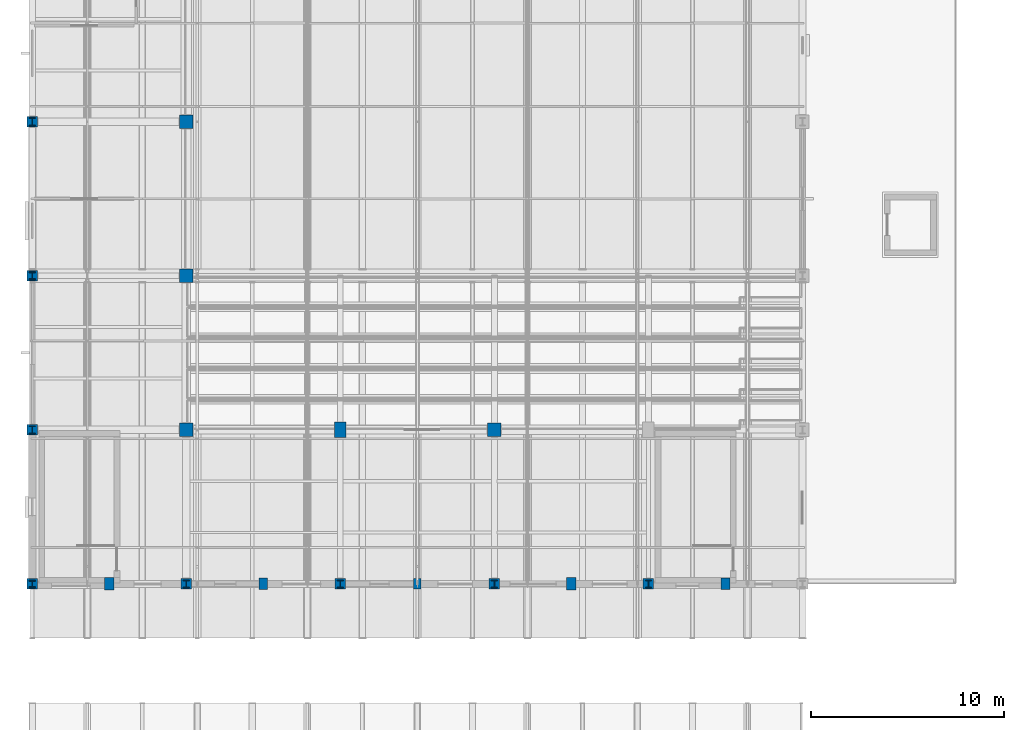
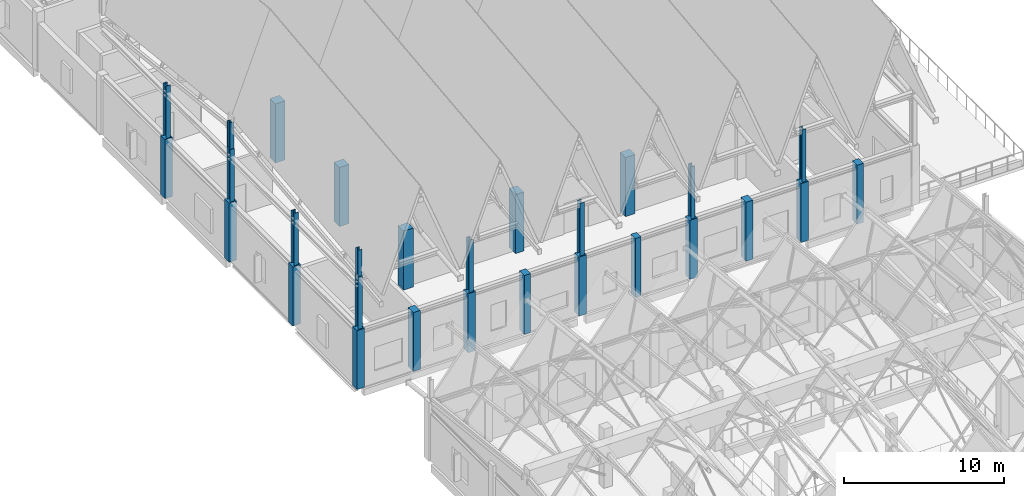
# One storey, part 3 of 77: 28 columns.
"""IFC4 building model written with IfcOpenShell, lengths in metres."""

from ifc_helpers import new_model, si_unit, direction, frame, origin, origin_2d, place, context, subcontext, project, spatial, rectangle, i_section, extrude, material, material_profile, profile_set, type_object, element, save


model = new_model("IFC4")

# Units and contexts
model_context = context("Model", 3, precision=1e-05, world=origin(), true_north=direction((0.0, 1.0)))
body_context = subcontext(model_context, "Body", "Model", "MODEL_VIEW")
ifc_project = project(units=[si_unit("LENGTHUNIT", "METRE"), si_unit("AREAUNIT", "SQUARE_METRE"), si_unit("VOLUMEUNIT", "CUBIC_METRE"), si_unit("PLANEANGLEUNIT", "RADIAN"), si_unit("MASSUNIT", "GRAM", prefix="KILO")], contexts=[model_context])

# Site, building, storey
site_placement = place(None, origin())
site = spatial("IfcSite", under=ifc_project, at=site_placement, CompositionType="ELEMENT")
building_placement = place(site_placement, origin())
building = spatial("IfcBuilding", under=site, at=building_placement, Name="Luwemba Playhouse", CompositionType="ELEMENT")
storey_placement = place(building_placement, frame((0.0, 0.0, 9.300048828125)))
storey = spatial("IfcBuildingStorey", under=building, at=storey_placement, Name="L02", CompositionType="ELEMENT", Elevation=9.300048828125)

# Columns
ifc_material_1 = material(Name="Concrete C40/50", Category="concrete")
ifc_material_profile_1 = material_profile(ifc_material_1, rectangle(XDim=0.550048828125, YDim=0.550048828125, at=origin_2d()))
ifc_profile_set_1 = profile_set([ifc_material_profile_1], Name="Concrete C40/50")
column_type_1 = type_object("IfcColumnType", Name="COL-C03", PredefinedType="COLUMN", material=ifc_profile_set_1)
for number, where, z_axis, x_axis, name in (
    (1, (4.0, 36.0, 0.0), (0.0, 0.0, 1.0), (1.0, 0.0, 0.0), "L02 column 005"),
    (2, (4.0, 44.0, 0.0), (0.0, 0.0, 1.0), (1.0, 0.0, 0.0), "L02 column 006"),
    (3, (4.0, 52.0, 0.0), (0.0, 0.0, 1.0), (1.0, 0.0, 0.0), "L02 column 007"),
    (4, (4.0, 60.0, 0.0), (0.0, 0.0, 1.0), (1.0, 0.0, 0.0), "L02 column 008"),
    (5, (12.0, 36.0, 0.0), (0.0, 0.0, 1.0), (1.0, 0.0, 0.0), "L02 column 026"),
    (6, (20.0, 36.0, 0.0), (0.0, 0.0, 1.0), (1.0, 0.0, 0.0), "L02 column 045"),
    (7, (28.0, 36.0, 0.0), (0.0, 0.0, 1.0), (1.0, 0.0, 0.0), "L02 column 061"),
    (8, (36.0, 36.0, 0.0), (0.0, 0.0, 1.0), (1.0, 0.0, 0.0), "L02 column 079"),
):
    element("IfcColumn", number, at=place(storey_placement, frame(where, z_axis=z_axis, x_axis=x_axis)), inside=storey, type_object=column_type_1, Name=name, PredefinedType="COLUMN", context=body_context, shape_type="SweptSolid", body=[
        extrude(rectangle(XDim=0.550048828125, YDim=0.550048828125, at=origin_2d()), origin(), (0.0, 0.0, 1.0), 4.5),
    ])
ifc_material_profile_2 = material_profile(ifc_material_1, rectangle(XDim=0.699951171875, YDim=0.699951171875, at=origin_2d()))
ifc_profile_set_2 = profile_set([ifc_material_profile_2], Name="Concrete C40/50")
column_type_2 = type_object("IfcColumnType", Name="COL-C06", PredefinedType="COLUMN", material=ifc_profile_set_2)
for number, where, z_axis, x_axis, name in (
    (9, (12.0, 44.0, 0.0), (0.0, 0.0, 1.0), (1.0, 0.0, 0.0), "L02 column 027"),
    (10, (12.0, 52.0, 0.0), (0.0, 0.0, 1.0), (1.0, 0.0, 0.0), "L02 column 028"),
    (11, (12.0, 60.0, 0.0), (0.0, 0.0, 1.0), (1.0, 0.0, 0.0), "L02 column 029"),
    (12, (28.0, 44.0, 0.0), (0.0, 0.0, 1.0), (1.0, 0.0, 0.0), "L02 column 062"),
):
    element("IfcColumn", number, at=place(storey_placement, frame(where, z_axis=z_axis, x_axis=x_axis)), inside=storey, type_object=column_type_2, Name=name, PredefinedType="COLUMN", context=body_context, shape_type="SweptSolid", body=[
        extrude(rectangle(XDim=0.699951171875, YDim=0.699951171875, at=origin_2d()), origin(), (0.0, 0.0, 1.0), 4.5),
    ])
ifc_material_profile_3 = material_profile(ifc_material_1, rectangle(XDim=0.60009765625, YDim=0.800048828125, at=origin_2d()))
ifc_profile_set_3 = profile_set([ifc_material_profile_3], Name="Concrete C40/50")
column_type_3 = type_object("IfcColumnType", Name="COL-C12", PredefinedType="COLUMN", material=ifc_profile_set_3)
column_1_placement = place(storey_placement, frame((20.0, 44.0, 0.0), z_axis=(0.0, 0.0, 1.0), x_axis=(1.0, 0.0, 0.0)))
element("IfcColumn", 13, at=column_1_placement, inside=storey, type_object=column_type_3, Name="L02 column 046", PredefinedType="COLUMN", context=body_context, shape_type="SweptSolid", body=[
    extrude(rectangle(XDim=0.60009765625, YDim=0.800048828125, at=origin_2d()), origin(), (0.0, 0.0, 1.0), 4.5),
])
ifc_material_profile_4 = material_profile(ifc_material_1, rectangle(XDim=0.39990234375, YDim=0.550048828125, at=origin_2d()))
ifc_profile_set_4 = profile_set([ifc_material_profile_4], Name="Concrete C40/50")
column_type_4 = type_object("IfcColumnType", Name="COL-PIL1", PredefinedType="PILASTER", material=ifc_profile_set_4)
column_2_placement = place(storey_placement, frame((24.0, 36.0, 0.0), z_axis=(0.0, 0.0, 1.0), x_axis=(1.0, 0.0, 0.0)))
element("IfcColumn", 14, at=column_2_placement, inside=storey, type_object=column_type_4, Name="L02 column 055", PredefinedType="PILASTER", context=body_context, shape_type="SweptSolid", body=[
    extrude(rectangle(XDim=0.39990234375, YDim=0.550048828125, at=origin_2d()), origin(), (0.0, 0.0, 1.0), 4.5),
])
ifc_material_profile_5 = material_profile(ifc_material_1, rectangle(XDim=0.449951171875, YDim=0.60009765625, at=origin_2d()))
ifc_profile_set_5 = profile_set([ifc_material_profile_5], Name="Concrete C40/50")
column_type_5 = type_object("IfcColumnType", Name="COL-PIL2", PredefinedType="PILASTER", material=ifc_profile_set_5)
for number, where, z_axis, x_axis, name in (
    (15, (16.0, 36.0, 0.0), (0.0, 0.0, 1.0), (1.0, 0.0, 0.0), "L02 column 039"),
    (16, (40.0, 36.0, 0.0), (0.0, 0.0, 1.0), (1.0, 0.0, 0.0), "L02 column 089"),
):
    element("IfcColumn", number, at=place(storey_placement, frame(where, z_axis=z_axis, x_axis=x_axis)), inside=storey, type_object=column_type_5, Name=name, PredefinedType="PILASTER", context=body_context, shape_type="SweptSolid", body=[
        extrude(rectangle(XDim=0.449951171875, YDim=0.60009765625, at=origin_2d()), origin(), (0.0, 0.0, 1.0), 4.5),
    ])
ifc_material_profile_6 = material_profile(ifc_material_1, rectangle(XDim=0.5, YDim=0.64990234375, at=origin_2d()))
ifc_profile_set_6 = profile_set([ifc_material_profile_6], Name="Concrete C40/50")
column_type_6 = type_object("IfcColumnType", Name="COL-PIL3", PredefinedType="PILASTER", material=ifc_profile_set_6)
for number, where, z_axis, x_axis, name in (
    (17, (8.0, 36.0, 0.0), (0.0, 0.0, 1.0), (1.0, 0.0, 0.0), "L02 column 018"),
    (18, (32.0, 36.0, 0.0), (0.0, 0.0, 1.0), (1.0, 0.0, 0.0), "L02 column 071"),
):
    element("IfcColumn", number, at=place(storey_placement, frame(where, z_axis=z_axis, x_axis=x_axis)), inside=storey, type_object=column_type_6, Name=name, PredefinedType="PILASTER", context=body_context, shape_type="SweptSolid", body=[
        extrude(rectangle(XDim=0.5, YDim=0.64990234375, at=origin_2d()), origin(), (0.0, 0.0, 1.0), 4.5),
    ])
ifc_material_2 = material(Name="Steel S355", Category="steel")
ifc_material_profile_7 = material_profile(ifc_material_2, i_section(OverallWidth=0.300048828125, OverallDepth=0.340087890625, WebThickness=0.011962890625, FlangeThickness=0.021484375, FilletRadius=0.027099609375, at=origin_2d()))
ifc_profile_set_7 = profile_set([ifc_material_profile_7], Name="Steel S355")
column_type_7 = type_object("IfcColumnType", Name="COL-SC2", PredefinedType="COLUMN", material=ifc_profile_set_7)
for number, where, z_axis, x_axis, name in (
    (19, (4.0, 36.0, 8.5), (0.0, 0.0, 1.0), (1.0, 0.0, 0.0), "RF-V1 south corner apex stub"),
    (20, (4.0, 52.0, 8.5), (0.0, 0.0, 1.0), (1.0, 0.0, 0.0), "RF-V1 mid corner apex stub"),
):
    element("IfcColumn", number, at=place(storey_placement, frame(where, z_axis=z_axis, x_axis=x_axis)), inside=storey, type_object=column_type_7, Name=name, PredefinedType="COLUMN", context=body_context, shape_type="SweptSolid", body=[
        extrude(i_section(OverallWidth=0.300048828125, OverallDepth=0.340087890625, WebThickness=0.011962890625, FlangeThickness=0.021484375, FilletRadius=0.027099609375, at=origin_2d()), origin(), (0.0, 0.0, 1.0), 2.0146484375),
    ])
ifc_material_profile_8 = material_profile(ifc_material_2, i_section(OverallWidth=0.300048828125, OverallDepth=0.39990234375, WebThickness=0.013427734375, FlangeThickness=0.02392578125, FilletRadius=0.027099609375, at=origin_2d()))
ifc_profile_set_8 = profile_set([ifc_material_profile_8], Name="Steel S355")
column_type_8 = type_object("IfcColumnType", Name="COL-SC4", PredefinedType="COLUMN", material=ifc_profile_set_8)
for number, where, z_axis, x_axis, name in (
    (21, (4.0, 36.0, 4.5), (0.0, 0.0, 1.0), (1.0, 0.0, 0.0), "RF-V1 roof support column"),
    (22, (4.0, 44.0, 4.5), (0.0, 0.0, 1.0), (1.0, 0.0, 0.0), "RF-V1 roof support column"),
    (23, (4.0, 52.0, 4.5), (0.0, 0.0, 1.0), (1.0, 0.0, 0.0), "RF-V1 roof support column"),
    (24, (4.0, 60.0, 4.5), (0.0, 0.0, 1.0), (1.0, 0.0, 0.0), "RF-V1 roof support column"),
    (25, (12.0, 36.0, 4.5), (0.0, 0.0, 1.0), (1.0, 0.0, 0.0), "RF-V1 roof support column"),
    (26, (20.0, 36.0, 4.5), (0.0, 0.0, 1.0), (1.0, 0.0, 0.0), "RF-V1 roof support column"),
    (27, (28.0, 36.0, 4.5), (0.0, 0.0, 1.0), (1.0, 0.0, 0.0), "RF-V1 roof support column"),
    (28, (36.0, 36.0, 4.5), (0.0, 0.0, 1.0), (1.0, 0.0, 0.0), "RF-V1 roof support column"),
):
    element("IfcColumn", number, at=place(storey_placement, frame(where, z_axis=z_axis, x_axis=x_axis)), inside=storey, type_object=column_type_8, Name=name, PredefinedType="COLUMN", context=body_context, shape_type="SweptSolid", body=[
        extrude(i_section(OverallWidth=0.300048828125, OverallDepth=0.39990234375, WebThickness=0.013427734375, FlangeThickness=0.02392578125, FilletRadius=0.027099609375, at=origin_2d()), origin(), (0.0, 0.0, 1.0), 4.0),
    ])

save(model, "model.ifc")
